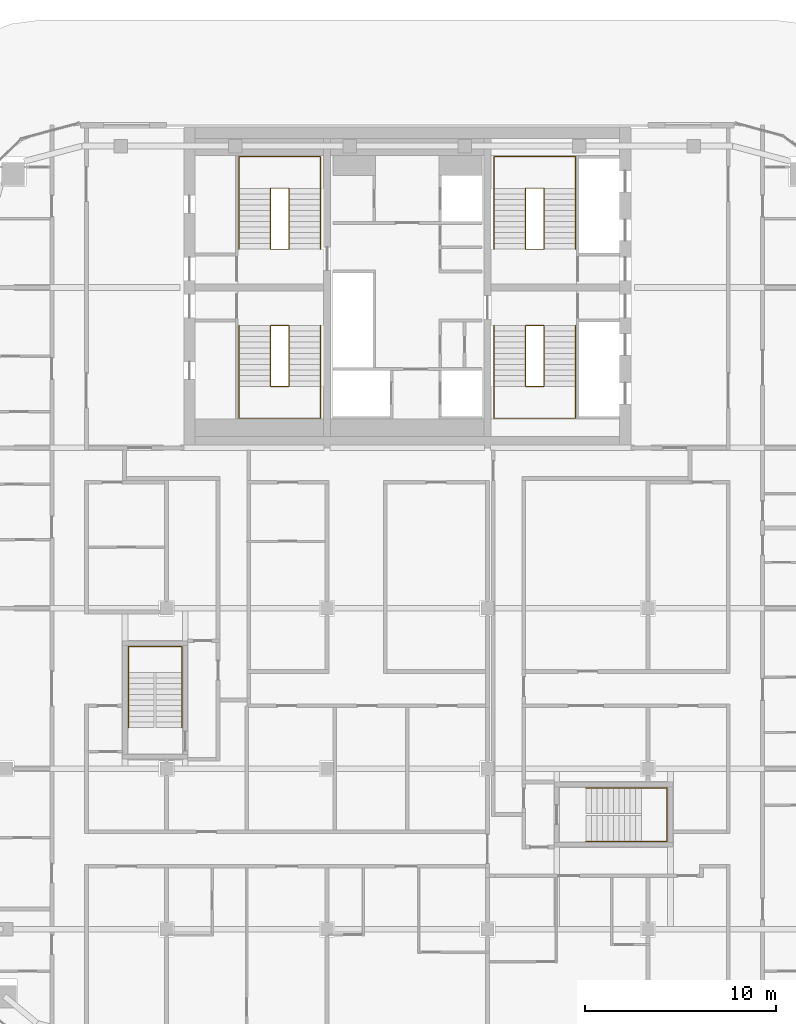
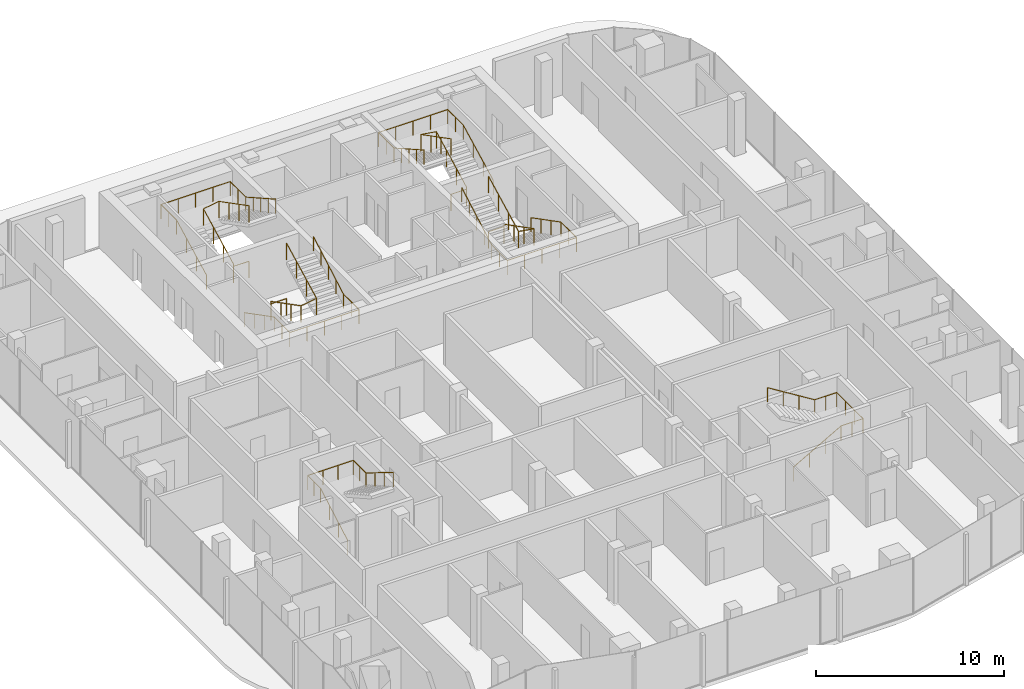
# One storey, part 21 of 21: 10 railings.
"""IFC4 building model written with IfcOpenShell, lengths in metres."""

from ifc_helpers import new_model, si_unit, direction, frame, origin, origin_2d, place, context, subcontext, project, spatial, circle, extrude, material, type_object, element, save


model = new_model("IFC4")

# Units and contexts
model_context = context("Model", 3, precision=1e-05, world=origin(), true_north=direction((0.0, 1.0)))
body_context = subcontext(model_context, "Body", "Model", "MODEL_VIEW")
ifc_project = project(units=[si_unit("LENGTHUNIT", "METRE"), si_unit("AREAUNIT", "SQUARE_METRE"), si_unit("VOLUMEUNIT", "CUBIC_METRE"), si_unit("PLANEANGLEUNIT", "RADIAN"), si_unit("MASSUNIT", "GRAM", prefix="KILO")], contexts=[model_context])

# Site, building, storey
site_placement = place(None, origin())
site = spatial("IfcSite", under=ifc_project, at=site_placement, CompositionType="ELEMENT")
building_placement = place(site_placement, origin())
building = spatial("IfcBuilding", under=site, at=building_placement, Name="Marenta Gate Hotel Tower", CompositionType="ELEMENT")
storey_placement = place(building_placement, frame((0.0, 0.0, 266.89990234375)))
storey = spatial("IfcBuildingStorey", under=building, at=storey_placement, Name="L61", CompositionType="ELEMENT", Elevation=266.89990234375)

# Railings
ifc_material_1 = material(Name="Stainless steel", Category="steel")
railing_type_1 = type_object("IfcRailingType", Name="Core stair handrail 950", PredefinedType="HANDRAIL", material=ifc_material_1)
railing_1_placement = place(storey_placement, frame((-8.800048828125, 6.39990234375, 0.150146484375)))
element("IfcRailing", 1, at=railing_1_placement, inside=storey, type_object=railing_type_1, Name="HR-950 L61-KR-ST1-1", PredefinedType="HANDRAIL", context=body_context, shape_type="SweptSolid", body=[
    extrude(circle(Radius=0.02392578125, at=origin_2d()), frame((0.0, 0.0, 0.92578125), z_axis=(0.0, -0.888225295554, 0.459408123936), x_axis=(1.0, 0.0, 0.0)), (0.0, 0.0, 1.0), 3.59130859375),
    extrude(circle(Radius=0.02392578125, at=origin_2d()), frame((0.0, -3.18994140625, 2.57568359375), z_axis=(0.0, -1.0, 0.0), x_axis=(1.0, 0.0, 0.0)), (0.0, 0.0, 1.0), 1.659912109375),
    extrude(circle(Radius=0.02392578125, at=origin_2d()), frame((0.0, -4.849853515625, 2.57568359375), z_axis=(1.0, 0.0, 0.0), x_axis=(0.0, 1.0, 0.0)), (0.0, 0.0, 1.0), 4.25),
    extrude(circle(Radius=0.02392578125, at=origin_2d()), frame((4.25, -4.849853515625, 2.57568359375), z_axis=(0.0, 1.0, 0.0), x_axis=(-1.0, 0.0, 0.0)), (0.0, 0.0, 1.0), 1.659912109375),
    extrude(circle(Radius=0.02392578125, at=origin_2d()), frame((4.25, -3.18994140625, 2.57568359375), z_axis=(0.0, 0.87090897868, 0.491444351738), x_axis=(-1.0, 0.0, 0.0)), (0.0, 0.0, 1.0), 3.662841796875),
    extrude(circle(Radius=0.02099609375, at=origin_2d()), origin(), (0.0, 0.0, 1.0), 0.90185546875),
    extrude(circle(Radius=0.02099609375, at=origin_2d()), frame((0.0, -1.063232421875, 0.550048828125)), (0.0, 0.0, 1.0), 0.90185546875),
    extrude(circle(Radius=0.02099609375, at=origin_2d()), frame((0.0, -2.126708984375, 1.099853515625)), (0.0, 0.0, 1.0), 0.90185546875),
    extrude(circle(Radius=0.02099609375, at=origin_2d()), frame((0.0, -3.18994140625, 1.64990234375)), (0.0, 0.0, 1.0), 0.90185546875),
    extrude(circle(Radius=0.02099609375, at=origin_2d()), frame((0.0, -4.02001953125, 1.64990234375)), (0.0, 0.0, 1.0), 0.90185546875),
    extrude(circle(Radius=0.02099609375, at=origin_2d()), frame((0.0, -4.849853515625, 1.64990234375)), (0.0, 0.0, 1.0), 0.90185546875),
    extrude(circle(Radius=0.02099609375, at=origin_2d()), frame((1.0625, -4.849853515625, 1.64990234375)), (0.0, 0.0, 1.0), 0.90185546875),
    extrude(circle(Radius=0.02099609375, at=origin_2d()), frame((2.125, -4.849853515625, 1.64990234375)), (0.0, 0.0, 1.0), 0.90185546875),
    extrude(circle(Radius=0.02099609375, at=origin_2d()), frame((3.1875, -4.849853515625, 1.64990234375)), (0.0, 0.0, 1.0), 0.90185546875),
    extrude(circle(Radius=0.02099609375, at=origin_2d()), frame((4.25, -4.849853515625, 1.64990234375)), (0.0, 0.0, 1.0), 0.90185546875),
    extrude(circle(Radius=0.02099609375, at=origin_2d()), frame((4.25, -4.02001953125, 1.64990234375)), (0.0, 0.0, 1.0), 0.90185546875),
    extrude(circle(Radius=0.02099609375, at=origin_2d()), frame((4.25, -3.18994140625, 1.64990234375)), (0.0, 0.0, 1.0), 0.90185546875),
    extrude(circle(Radius=0.02099609375, at=origin_2d()), frame((4.25, -2.392578125, 2.099853515625)), (0.0, 0.0, 1.0), 0.90185546875),
    extrude(circle(Radius=0.02099609375, at=origin_2d()), frame((4.25, -1.594970703125, 2.5498046875)), (0.0, 0.0, 1.0), 0.90185546875),
    extrude(circle(Radius=0.02099609375, at=origin_2d()), frame((4.25, -0.79736328125, 3.0)), (0.0, 0.0, 1.0), 0.90185546875),
    extrude(circle(Radius=0.02099609375, at=origin_2d()), frame((4.25, 0.0, 3.449951171875)), (0.0, 0.0, 1.0), 0.90185546875),
])
railing_2_placement = place(storey_placement, frame((-8.800048828125, 10.39990234375, 0.150146484375)))
element("IfcRailing", 2, at=railing_2_placement, inside=storey, type_object=railing_type_1, Name="HR-950 L61-KR-ST2-1", PredefinedType="HANDRAIL", context=body_context, shape_type="SweptSolid", body=[
    extrude(circle(Radius=0.02392578125, at=origin_2d()), frame((0.0, 0.0, 0.92578125), z_axis=(0.0, 0.888239641807, 0.459380385653), x_axis=(-1.0, 0.0, 0.0)), (0.0, 0.0, 1.0), 3.591552734375),
    extrude(circle(Radius=0.02392578125, at=origin_2d()), frame((0.0, 3.190185546875, 2.57568359375), z_axis=(0.0, 1.0, 0.0), x_axis=(-1.0, 0.0, 0.0)), (0.0, 0.0, 1.0), 1.659912109375),
    extrude(circle(Radius=0.02392578125, at=origin_2d()), frame((0.0, 4.85009765625, 2.57568359375), z_axis=(1.0, 0.0, 0.0), x_axis=(0.0, 1.0, 0.0)), (0.0, 0.0, 1.0), 4.25),
    extrude(circle(Radius=0.02392578125, at=origin_2d()), frame((4.25, 4.85009765625, 2.57568359375), z_axis=(0.0, -1.0, 0.0), x_axis=(1.0, 0.0, 0.0)), (0.0, 0.0, 1.0), 1.659912109375),
    extrude(circle(Radius=0.02392578125, at=origin_2d()), frame((4.25, 3.190185546875, 2.57568359375), z_axis=(0.0, -0.870925075533, 0.491415824742), x_axis=(1.0, 0.0, 0.0)), (0.0, 0.0, 1.0), 3.6630859375),
    extrude(circle(Radius=0.02099609375, at=origin_2d()), origin(), (0.0, 0.0, 1.0), 0.90185546875),
    extrude(circle(Radius=0.02099609375, at=origin_2d()), frame((0.0, 1.0634765625, 0.550048828125)), (0.0, 0.0, 1.0), 0.90185546875),
    extrude(circle(Radius=0.02099609375, at=origin_2d()), frame((0.0, 2.126708984375, 1.099853515625)), (0.0, 0.0, 1.0), 0.90185546875),
    extrude(circle(Radius=0.02099609375, at=origin_2d()), frame((0.0, 3.190185546875, 1.64990234375)), (0.0, 0.0, 1.0), 0.90185546875),
    extrude(circle(Radius=0.02099609375, at=origin_2d()), frame((0.0, 4.02001953125, 1.64990234375)), (0.0, 0.0, 1.0), 0.90185546875),
    extrude(circle(Radius=0.02099609375, at=origin_2d()), frame((0.0, 4.85009765625, 1.64990234375)), (0.0, 0.0, 1.0), 0.90185546875),
    extrude(circle(Radius=0.02099609375, at=origin_2d()), frame((1.0625, 4.85009765625, 1.64990234375)), (0.0, 0.0, 1.0), 0.90185546875),
    extrude(circle(Radius=0.02099609375, at=origin_2d()), frame((2.125, 4.85009765625, 1.64990234375)), (0.0, 0.0, 1.0), 0.90185546875),
    extrude(circle(Radius=0.02099609375, at=origin_2d()), frame((3.1875, 4.85009765625, 1.64990234375)), (0.0, 0.0, 1.0), 0.90185546875),
    extrude(circle(Radius=0.02099609375, at=origin_2d()), frame((4.25, 4.85009765625, 1.64990234375)), (0.0, 0.0, 1.0), 0.90185546875),
    extrude(circle(Radius=0.02099609375, at=origin_2d()), frame((4.25, 4.02001953125, 1.64990234375)), (0.0, 0.0, 1.0), 0.90185546875),
    extrude(circle(Radius=0.02099609375, at=origin_2d()), frame((4.25, 3.190185546875, 1.64990234375)), (0.0, 0.0, 1.0), 0.90185546875),
    extrude(circle(Radius=0.02099609375, at=origin_2d()), frame((4.25, 2.392578125, 2.099853515625)), (0.0, 0.0, 1.0), 0.90185546875),
    extrude(circle(Radius=0.02099609375, at=origin_2d()), frame((4.25, 1.59521484375, 2.5498046875)), (0.0, 0.0, 1.0), 0.90185546875),
    extrude(circle(Radius=0.02099609375, at=origin_2d()), frame((4.25, 0.797607421875, 3.0)), (0.0, 0.0, 1.0), 0.90185546875),
    extrude(circle(Radius=0.02099609375, at=origin_2d()), frame((4.25, 0.0, 3.449951171875)), (0.0, 0.0, 1.0), 0.90185546875),
])
railing_3_placement = place(storey_placement, frame((8.800048828125, 6.39990234375, 0.150146484375)))
element("IfcRailing", 3, at=railing_3_placement, inside=storey, type_object=railing_type_1, Name="HR-950 L61-KR-ST3-1", PredefinedType="HANDRAIL", context=body_context, shape_type="SweptSolid", body=[
    extrude(circle(Radius=0.02392578125, at=origin_2d()), frame((0.0, 0.0, 0.92578125), z_axis=(0.0, -0.888225295554, 0.459408123936), x_axis=(1.0, 0.0, 0.0)), (0.0, 0.0, 1.0), 3.59130859375),
    extrude(circle(Radius=0.02392578125, at=origin_2d()), frame((0.0, -3.18994140625, 2.57568359375), z_axis=(0.0, -1.0, 0.0), x_axis=(1.0, 0.0, 0.0)), (0.0, 0.0, 1.0), 1.659912109375),
    extrude(circle(Radius=0.02392578125, at=origin_2d()), frame((0.0, -4.849853515625, 2.57568359375), z_axis=(-1.0, 0.0, 0.0), x_axis=(0.0, -1.0, 0.0)), (0.0, 0.0, 1.0), 4.25),
    extrude(circle(Radius=0.02392578125, at=origin_2d()), frame((-4.25, -4.849853515625, 2.57568359375), z_axis=(0.0, 1.0, 0.0), x_axis=(-1.0, 0.0, 0.0)), (0.0, 0.0, 1.0), 1.659912109375),
    extrude(circle(Radius=0.02392578125, at=origin_2d()), frame((-4.25, -3.18994140625, 2.57568359375), z_axis=(0.0, 0.87090897868, 0.491444351738), x_axis=(-1.0, 0.0, 0.0)), (0.0, 0.0, 1.0), 3.662841796875),
    extrude(circle(Radius=0.02099609375, at=origin_2d()), origin(), (0.0, 0.0, 1.0), 0.90185546875),
    extrude(circle(Radius=0.02099609375, at=origin_2d()), frame((0.0, -1.063232421875, 0.550048828125)), (0.0, 0.0, 1.0), 0.90185546875),
    extrude(circle(Radius=0.02099609375, at=origin_2d()), frame((0.0, -2.126708984375, 1.099853515625)), (0.0, 0.0, 1.0), 0.90185546875),
    extrude(circle(Radius=0.02099609375, at=origin_2d()), frame((0.0, -3.18994140625, 1.64990234375)), (0.0, 0.0, 1.0), 0.90185546875),
    extrude(circle(Radius=0.02099609375, at=origin_2d()), frame((0.0, -4.02001953125, 1.64990234375)), (0.0, 0.0, 1.0), 0.90185546875),
    extrude(circle(Radius=0.02099609375, at=origin_2d()), frame((0.0, -4.849853515625, 1.64990234375)), (0.0, 0.0, 1.0), 0.90185546875),
    extrude(circle(Radius=0.02099609375, at=origin_2d()), frame((-1.0625, -4.849853515625, 1.64990234375)), (0.0, 0.0, 1.0), 0.90185546875),
    extrude(circle(Radius=0.02099609375, at=origin_2d()), frame((-2.125, -4.849853515625, 1.64990234375)), (0.0, 0.0, 1.0), 0.90185546875),
    extrude(circle(Radius=0.02099609375, at=origin_2d()), frame((-3.1875, -4.849853515625, 1.64990234375)), (0.0, 0.0, 1.0), 0.90185546875),
    extrude(circle(Radius=0.02099609375, at=origin_2d()), frame((-4.25, -4.849853515625, 1.64990234375)), (0.0, 0.0, 1.0), 0.90185546875),
    extrude(circle(Radius=0.02099609375, at=origin_2d()), frame((-4.25, -4.02001953125, 1.64990234375)), (0.0, 0.0, 1.0), 0.90185546875),
    extrude(circle(Radius=0.02099609375, at=origin_2d()), frame((-4.25, -3.18994140625, 1.64990234375)), (0.0, 0.0, 1.0), 0.90185546875),
    extrude(circle(Radius=0.02099609375, at=origin_2d()), frame((-4.25, -2.392578125, 2.099853515625)), (0.0, 0.0, 1.0), 0.90185546875),
    extrude(circle(Radius=0.02099609375, at=origin_2d()), frame((-4.25, -1.594970703125, 2.5498046875)), (0.0, 0.0, 1.0), 0.90185546875),
    extrude(circle(Radius=0.02099609375, at=origin_2d()), frame((-4.25, -0.79736328125, 3.0)), (0.0, 0.0, 1.0), 0.90185546875),
    extrude(circle(Radius=0.02099609375, at=origin_2d()), frame((-4.25, 0.0, 3.449951171875)), (0.0, 0.0, 1.0), 0.90185546875),
])
railing_4_placement = place(storey_placement, frame((8.800048828125, 10.39990234375, 0.150146484375)))
element("IfcRailing", 4, at=railing_4_placement, inside=storey, type_object=railing_type_1, Name="HR-950 L61-KR-ST4-1", PredefinedType="HANDRAIL", context=body_context, shape_type="SweptSolid", body=[
    extrude(circle(Radius=0.02392578125, at=origin_2d()), frame((0.0, 0.0, 0.92578125), z_axis=(0.0, 0.888239641807, 0.459380385653), x_axis=(-1.0, 0.0, 0.0)), (0.0, 0.0, 1.0), 3.591552734375),
    extrude(circle(Radius=0.02392578125, at=origin_2d()), frame((0.0, 3.190185546875, 2.57568359375), z_axis=(0.0, 1.0, 0.0), x_axis=(-1.0, 0.0, 0.0)), (0.0, 0.0, 1.0), 1.659912109375),
    extrude(circle(Radius=0.02392578125, at=origin_2d()), frame((0.0, 4.85009765625, 2.57568359375), z_axis=(-1.0, 0.0, 0.0), x_axis=(0.0, -1.0, 0.0)), (0.0, 0.0, 1.0), 4.25),
    extrude(circle(Radius=0.02392578125, at=origin_2d()), frame((-4.25, 4.85009765625, 2.57568359375), z_axis=(0.0, -1.0, 0.0), x_axis=(1.0, 0.0, 0.0)), (0.0, 0.0, 1.0), 1.659912109375),
    extrude(circle(Radius=0.02392578125, at=origin_2d()), frame((-4.25, 3.190185546875, 2.57568359375), z_axis=(0.0, -0.870925075533, 0.491415824742), x_axis=(1.0, 0.0, 0.0)), (0.0, 0.0, 1.0), 3.6630859375),
    extrude(circle(Radius=0.02099609375, at=origin_2d()), origin(), (0.0, 0.0, 1.0), 0.90185546875),
    extrude(circle(Radius=0.02099609375, at=origin_2d()), frame((0.0, 1.0634765625, 0.550048828125)), (0.0, 0.0, 1.0), 0.90185546875),
    extrude(circle(Radius=0.02099609375, at=origin_2d()), frame((0.0, 2.126708984375, 1.099853515625)), (0.0, 0.0, 1.0), 0.90185546875),
    extrude(circle(Radius=0.02099609375, at=origin_2d()), frame((0.0, 3.190185546875, 1.64990234375)), (0.0, 0.0, 1.0), 0.90185546875),
    extrude(circle(Radius=0.02099609375, at=origin_2d()), frame((0.0, 4.02001953125, 1.64990234375)), (0.0, 0.0, 1.0), 0.90185546875),
    extrude(circle(Radius=0.02099609375, at=origin_2d()), frame((0.0, 4.85009765625, 1.64990234375)), (0.0, 0.0, 1.0), 0.90185546875),
    extrude(circle(Radius=0.02099609375, at=origin_2d()), frame((-1.0625, 4.85009765625, 1.64990234375)), (0.0, 0.0, 1.0), 0.90185546875),
    extrude(circle(Radius=0.02099609375, at=origin_2d()), frame((-2.125, 4.85009765625, 1.64990234375)), (0.0, 0.0, 1.0), 0.90185546875),
    extrude(circle(Radius=0.02099609375, at=origin_2d()), frame((-3.1875, 4.85009765625, 1.64990234375)), (0.0, 0.0, 1.0), 0.90185546875),
    extrude(circle(Radius=0.02099609375, at=origin_2d()), frame((-4.25, 4.85009765625, 1.64990234375)), (0.0, 0.0, 1.0), 0.90185546875),
    extrude(circle(Radius=0.02099609375, at=origin_2d()), frame((-4.25, 4.02001953125, 1.64990234375)), (0.0, 0.0, 1.0), 0.90185546875),
    extrude(circle(Radius=0.02099609375, at=origin_2d()), frame((-4.25, 3.190185546875, 1.64990234375)), (0.0, 0.0, 1.0), 0.90185546875),
    extrude(circle(Radius=0.02099609375, at=origin_2d()), frame((-4.25, 2.392578125, 2.099853515625)), (0.0, 0.0, 1.0), 0.90185546875),
    extrude(circle(Radius=0.02099609375, at=origin_2d()), frame((-4.25, 1.59521484375, 2.5498046875)), (0.0, 0.0, 1.0), 0.90185546875),
    extrude(circle(Radius=0.02099609375, at=origin_2d()), frame((-4.25, 0.797607421875, 3.0)), (0.0, 0.0, 1.0), 0.90185546875),
    extrude(circle(Radius=0.02099609375, at=origin_2d()), frame((-4.25, 0.0, 3.449951171875)), (0.0, 0.0, 1.0), 0.90185546875),
])
railing_5_placement = place(storey_placement, frame((9.35009765625, -20.60009765625, 0.163818359375)))
element("IfcRailing", 5, at=railing_5_placement, inside=storey, type_object=railing_type_1, Name="HR-950 L61-RS-Z4-1-KR-1", PredefinedType="HANDRAIL", context=body_context, shape_type="SweptSolid", body=[
    extrude(circle(Radius=0.02392578125, at=origin_2d()), frame((0.0, 0.0, 0.92578125), z_axis=(0.870928581787, 0.0, 0.491409610636), x_axis=(0.0, 1.0, 0.0)), (0.0, 0.0, 1.0), 3.32958984375),
    extrude(circle(Radius=0.02392578125, at=origin_2d()), frame((2.89990234375, 0.0, 2.56201171875), z_axis=(1.0, 0.0, 0.0), x_axis=(0.0, 1.0, 0.0)), (0.0, 0.0, 1.0), 1.35009765625),
    extrude(circle(Radius=0.02392578125, at=origin_2d()), frame((4.25, 0.0, 2.56201171875), z_axis=(0.0, 1.0, 0.0), x_axis=(-1.0, 0.0, 0.0)), (0.0, 0.0, 1.0), 2.800048828125),
    extrude(circle(Radius=0.02392578125, at=origin_2d()), frame((4.25, 2.800048828125, 2.56201171875), z_axis=(-1.0, 0.0, 0.0), x_axis=(0.0, -1.0, 0.0)), (0.0, 0.0, 1.0), 1.35009765625),
    extrude(circle(Radius=0.02392578125, at=origin_2d()), frame((2.89990234375, 2.800048828125, 2.56201171875), z_axis=(-0.849625798611, 0.0, 0.527386008853), x_axis=(0.0, -1.0, 0.0)), (0.0, 0.0, 1.0), 3.4130859375),
    extrude(circle(Radius=0.02099609375, at=origin_2d()), origin(), (0.0, 0.0, 1.0), 0.90185546875),
    extrude(circle(Radius=0.02099609375, at=origin_2d()), frame((0.966552734375, 0.0, 0.54541015625)), (0.0, 0.0, 1.0), 0.90185546875),
    extrude(circle(Radius=0.02099609375, at=origin_2d()), frame((1.933349609375, 0.0, 1.0908203125)), (0.0, 0.0, 1.0), 0.90185546875),
    extrude(circle(Radius=0.02099609375, at=origin_2d()), frame((2.89990234375, 0.0, 1.63623046875)), (0.0, 0.0, 1.0), 0.90185546875),
    extrude(circle(Radius=0.02099609375, at=origin_2d()), frame((3.574951171875, 0.0, 1.63623046875)), (0.0, 0.0, 1.0), 0.90185546875),
    extrude(circle(Radius=0.02099609375, at=origin_2d()), frame((4.25, 0.0, 1.63623046875)), (0.0, 0.0, 1.0), 0.90185546875),
    extrude(circle(Radius=0.02099609375, at=origin_2d()), frame((4.25, 0.933349609375, 1.63623046875)), (0.0, 0.0, 1.0), 0.90185546875),
    extrude(circle(Radius=0.02099609375, at=origin_2d()), frame((4.25, 1.86669921875, 1.63623046875)), (0.0, 0.0, 1.0), 0.90185546875),
    extrude(circle(Radius=0.02099609375, at=origin_2d()), frame((4.25, 2.800048828125, 1.63623046875)), (0.0, 0.0, 1.0), 0.90185546875),
    extrude(circle(Radius=0.02099609375, at=origin_2d()), frame((3.574951171875, 2.800048828125, 1.63623046875)), (0.0, 0.0, 1.0), 0.90185546875),
    extrude(circle(Radius=0.02099609375, at=origin_2d()), frame((2.89990234375, 2.800048828125, 1.63623046875)), (0.0, 0.0, 1.0), 0.90185546875),
    extrude(circle(Radius=0.02099609375, at=origin_2d()), frame((1.933349609375, 2.800048828125, 2.236328125)), (0.0, 0.0, 1.0), 0.90185546875),
    extrude(circle(Radius=0.02099609375, at=origin_2d()), frame((0.966552734375, 2.800048828125, 2.836181640625)), (0.0, 0.0, 1.0), 0.90185546875),
    extrude(circle(Radius=0.02099609375, at=origin_2d()), frame((0.0, 2.800048828125, 3.436279296875)), (0.0, 0.0, 1.0), 0.90185546875),
])
railing_6_placement = place(storey_placement, frame((-14.60009765625, -14.64990234375, 0.163818359375)))
element("IfcRailing", 6, at=railing_6_placement, inside=storey, type_object=railing_type_1, Name="HR-950 L61-RS-Z4-2-KR-1", PredefinedType="HANDRAIL", context=body_context, shape_type="SweptSolid", body=[
    extrude(circle(Radius=0.02392578125, at=origin_2d()), frame((0.0, 0.0, 0.92578125), z_axis=(0.0, 0.870928581787, 0.491409610636), x_axis=(-1.0, 0.0, 0.0)), (0.0, 0.0, 1.0), 3.32958984375),
    extrude(circle(Radius=0.02392578125, at=origin_2d()), frame((0.0, 2.89990234375, 2.56201171875), z_axis=(0.0, 1.0, 0.0), x_axis=(-1.0, 0.0, 0.0)), (0.0, 0.0, 1.0), 1.35009765625),
    extrude(circle(Radius=0.02392578125, at=origin_2d()), frame((0.0, 4.25, 2.56201171875), z_axis=(1.0, 0.0, 0.0), x_axis=(0.0, 1.0, 0.0)), (0.0, 0.0, 1.0), 2.800048828125),
    extrude(circle(Radius=0.02392578125, at=origin_2d()), frame((2.800048828125, 4.25, 2.56201171875), z_axis=(0.0, -1.0, 0.0), x_axis=(1.0, 0.0, 0.0)), (0.0, 0.0, 1.0), 1.35009765625),
    extrude(circle(Radius=0.02392578125, at=origin_2d()), frame((2.800048828125, 2.89990234375, 2.56201171875), z_axis=(0.0, -0.849625798611, 0.527386008853), x_axis=(1.0, 0.0, 0.0)), (0.0, 0.0, 1.0), 3.4130859375),
    extrude(circle(Radius=0.02099609375, at=origin_2d()), origin(), (0.0, 0.0, 1.0), 0.90185546875),
    extrude(circle(Radius=0.02099609375, at=origin_2d()), frame((0.0, 0.966552734375, 0.54541015625)), (0.0, 0.0, 1.0), 0.90185546875),
    extrude(circle(Radius=0.02099609375, at=origin_2d()), frame((0.0, 1.933349609375, 1.0908203125)), (0.0, 0.0, 1.0), 0.90185546875),
    extrude(circle(Radius=0.02099609375, at=origin_2d()), frame((0.0, 2.89990234375, 1.63623046875)), (0.0, 0.0, 1.0), 0.90185546875),
    extrude(circle(Radius=0.02099609375, at=origin_2d()), frame((0.0, 3.574951171875, 1.63623046875)), (0.0, 0.0, 1.0), 0.90185546875),
    extrude(circle(Radius=0.02099609375, at=origin_2d()), frame((0.0, 4.25, 1.63623046875)), (0.0, 0.0, 1.0), 0.90185546875),
    extrude(circle(Radius=0.02099609375, at=origin_2d()), frame((0.933349609375, 4.25, 1.63623046875)), (0.0, 0.0, 1.0), 0.90185546875),
    extrude(circle(Radius=0.02099609375, at=origin_2d()), frame((1.86669921875, 4.25, 1.63623046875)), (0.0, 0.0, 1.0), 0.90185546875),
    extrude(circle(Radius=0.02099609375, at=origin_2d()), frame((2.800048828125, 4.25, 1.63623046875)), (0.0, 0.0, 1.0), 0.90185546875),
    extrude(circle(Radius=0.02099609375, at=origin_2d()), frame((2.800048828125, 3.574951171875, 1.63623046875)), (0.0, 0.0, 1.0), 0.90185546875),
    extrude(circle(Radius=0.02099609375, at=origin_2d()), frame((2.800048828125, 2.89990234375, 1.63623046875)), (0.0, 0.0, 1.0), 0.90185546875),
    extrude(circle(Radius=0.02099609375, at=origin_2d()), frame((2.800048828125, 1.933349609375, 2.236328125)), (0.0, 0.0, 1.0), 0.90185546875),
    extrude(circle(Radius=0.02099609375, at=origin_2d()), frame((2.800048828125, 0.966552734375, 2.836181640625)), (0.0, 0.0, 1.0), 0.90185546875),
    extrude(circle(Radius=0.02099609375, at=origin_2d()), frame((2.800048828125, 0.0, 3.436279296875)), (0.0, 0.0, 1.0), 0.90185546875),
])
ifc_material_2 = material(Name="Stainless steel", Category="steel")
railing_type_2 = type_object("IfcRailingType", Name="Core stair well guard 1100", PredefinedType="GUARDRAIL", material=ifc_material_2)
railing_7_placement = place(storey_placement, frame((-6.199951171875, 6.39990234375, 0.0)))
element("IfcRailing", 7, at=railing_7_placement, inside=storey, type_object=railing_type_2, Name="GR-1100 L61-KR-ST1-2", PredefinedType="GUARDRAIL", context=body_context, shape_type="SweptSolid", body=[
    extrude(circle(Radius=0.02392578125, at=origin_2d()), frame((0.0, 0.0, 1.076171875), z_axis=(-1.0, 0.0, 0.0), x_axis=(0.0, -1.0, 0.0)), (0.0, 0.0, 1.0), 0.949951171875),
    extrude(circle(Radius=0.02392578125, at=origin_2d()), frame((-0.949951171875, 0.0, 1.076171875), z_axis=(0.0, 0.0, 1.0), x_axis=(1.0, 0.0, 0.0)), (0.0, 0.0, 1.0), 0.150146484375),
    extrude(circle(Radius=0.02392578125, at=origin_2d()), frame((-0.949951171875, 0.0, 1.22607421875), z_axis=(0.0, -0.888225295554, 0.459408123936), x_axis=(1.0, 0.0, 0.0)), (0.0, 0.0, 1.0), 3.59130859375),
    extrude(circle(Radius=0.02392578125, at=origin_2d()), frame((-0.949951171875, -3.18994140625, 2.8759765625), z_axis=(0.987738253826, 0.0, 0.156118999255), x_axis=(0.0, 1.0, 0.0)), (0.0, 0.0, 1.0), 0.961669921875),
    extrude(circle(Radius=0.02392578125, at=origin_2d()), frame((0.0, -3.18994140625, 3.0263671875), z_axis=(0.0, 0.888225295554, 0.459408123936), x_axis=(-1.0, 0.0, 0.0)), (0.0, 0.0, 1.0), 3.59130859375),
    extrude(circle(Radius=0.02099609375, at=origin_2d()), origin(), (0.0, 0.0, 1.0), 1.052001953125),
    extrude(circle(Radius=0.02099609375, at=origin_2d()), frame((-0.949951171875, 0.0, 0.0)), (0.0, 0.0, 1.0), 1.052001953125),
    extrude(circle(Radius=0.02099609375, at=origin_2d()), frame((-0.949951171875, 0.0, 0.150146484375)), (0.0, 0.0, 1.0), 1.052001953125),
    extrude(circle(Radius=0.02099609375, at=origin_2d()), frame((-0.949951171875, -1.063232421875, 0.7001953125)), (0.0, 0.0, 1.0), 1.052001953125),
    extrude(circle(Radius=0.02099609375, at=origin_2d()), frame((-0.949951171875, -2.126708984375, 1.25)), (0.0, 0.0, 1.0), 1.052001953125),
    extrude(circle(Radius=0.02099609375, at=origin_2d()), frame((-0.949951171875, -3.18994140625, 1.800048828125)), (0.0, 0.0, 1.0), 1.052001953125),
    extrude(circle(Radius=0.02099609375, at=origin_2d()), frame((0.0, -3.18994140625, 1.9501953125)), (0.0, 0.0, 1.0), 1.052001953125),
    extrude(circle(Radius=0.02099609375, at=origin_2d()), frame((0.0, -2.126708984375, 2.500244140625)), (0.0, 0.0, 1.0), 1.052001953125),
    extrude(circle(Radius=0.02099609375, at=origin_2d()), frame((0.0, -1.063232421875, 3.050048828125)), (0.0, 0.0, 1.0), 1.052001953125),
    extrude(circle(Radius=0.02099609375, at=origin_2d()), frame((0.0, 0.0, 3.60009765625)), (0.0, 0.0, 1.0), 1.052001953125),
])
railing_8_placement = place(storey_placement, frame((-6.199951171875, 10.39990234375, 0.0)))
element("IfcRailing", 8, at=railing_8_placement, inside=storey, type_object=railing_type_2, Name="GR-1100 L61-KR-ST2-2", PredefinedType="GUARDRAIL", context=body_context, shape_type="SweptSolid", body=[
    extrude(circle(Radius=0.02392578125, at=origin_2d()), frame((0.0, 0.0, 1.076171875), z_axis=(-1.0, 0.0, 0.0), x_axis=(0.0, -1.0, 0.0)), (0.0, 0.0, 1.0), 0.949951171875),
    extrude(circle(Radius=0.02392578125, at=origin_2d()), frame((-0.949951171875, 0.0, 1.076171875), z_axis=(0.0, 0.0, 1.0), x_axis=(1.0, 0.0, 0.0)), (0.0, 0.0, 1.0), 0.150146484375),
    extrude(circle(Radius=0.02392578125, at=origin_2d()), frame((-0.949951171875, 0.0, 1.22607421875), z_axis=(0.0, 0.888239641807, 0.459380385653), x_axis=(-1.0, 0.0, 0.0)), (0.0, 0.0, 1.0), 3.591552734375),
    extrude(circle(Radius=0.02392578125, at=origin_2d()), frame((-0.949951171875, 3.190185546875, 2.8759765625), z_axis=(0.987738253826, 0.0, 0.156118999255), x_axis=(0.0, 1.0, 0.0)), (0.0, 0.0, 1.0), 0.961669921875),
    extrude(circle(Radius=0.02392578125, at=origin_2d()), frame((0.0, 3.190185546875, 3.0263671875), z_axis=(0.0, -0.888239641807, 0.459380385653), x_axis=(1.0, 0.0, 0.0)), (0.0, 0.0, 1.0), 3.591552734375),
    extrude(circle(Radius=0.02099609375, at=origin_2d()), origin(), (0.0, 0.0, 1.0), 1.052001953125),
    extrude(circle(Radius=0.02099609375, at=origin_2d()), frame((-0.949951171875, 0.0, 0.0)), (0.0, 0.0, 1.0), 1.052001953125),
    extrude(circle(Radius=0.02099609375, at=origin_2d()), frame((-0.949951171875, 0.0, 0.150146484375)), (0.0, 0.0, 1.0), 1.052001953125),
    extrude(circle(Radius=0.02099609375, at=origin_2d()), frame((-0.949951171875, 1.0634765625, 0.7001953125)), (0.0, 0.0, 1.0), 1.052001953125),
    extrude(circle(Radius=0.02099609375, at=origin_2d()), frame((-0.949951171875, 2.126708984375, 1.25)), (0.0, 0.0, 1.0), 1.052001953125),
    extrude(circle(Radius=0.02099609375, at=origin_2d()), frame((-0.949951171875, 3.190185546875, 1.800048828125)), (0.0, 0.0, 1.0), 1.052001953125),
    extrude(circle(Radius=0.02099609375, at=origin_2d()), frame((0.0, 3.190185546875, 1.9501953125)), (0.0, 0.0, 1.0), 1.052001953125),
    extrude(circle(Radius=0.02099609375, at=origin_2d()), frame((0.0, 2.126708984375, 2.500244140625)), (0.0, 0.0, 1.0), 1.052001953125),
    extrude(circle(Radius=0.02099609375, at=origin_2d()), frame((0.0, 1.0634765625, 3.050048828125)), (0.0, 0.0, 1.0), 1.052001953125),
    extrude(circle(Radius=0.02099609375, at=origin_2d()), frame((0.0, 0.0, 3.60009765625)), (0.0, 0.0, 1.0), 1.052001953125),
])
railing_9_placement = place(storey_placement, frame((6.199951171875, 6.39990234375, 0.0)))
element("IfcRailing", 9, at=railing_9_placement, inside=storey, type_object=railing_type_2, Name="GR-1100 L61-KR-ST3-2", PredefinedType="GUARDRAIL", context=body_context, shape_type="SweptSolid", body=[
    extrude(circle(Radius=0.02392578125, at=origin_2d()), frame((0.0, 0.0, 1.076171875), z_axis=(1.0, 0.0, 0.0), x_axis=(0.0, 1.0, 0.0)), (0.0, 0.0, 1.0), 0.949951171875),
    extrude(circle(Radius=0.02392578125, at=origin_2d()), frame((0.949951171875, 0.0, 1.076171875), z_axis=(0.0, 0.0, 1.0), x_axis=(1.0, 0.0, 0.0)), (0.0, 0.0, 1.0), 0.150146484375),
    extrude(circle(Radius=0.02392578125, at=origin_2d()), frame((0.949951171875, 0.0, 1.22607421875), z_axis=(0.0, -0.888225295554, 0.459408123936), x_axis=(1.0, 0.0, 0.0)), (0.0, 0.0, 1.0), 3.59130859375),
    extrude(circle(Radius=0.02392578125, at=origin_2d()), frame((0.949951171875, -3.18994140625, 2.8759765625), z_axis=(-0.987738253826, 0.0, 0.156118999255), x_axis=(0.0, -1.0, 0.0)), (0.0, 0.0, 1.0), 0.961669921875),
    extrude(circle(Radius=0.02392578125, at=origin_2d()), frame((0.0, -3.18994140625, 3.0263671875), z_axis=(0.0, 0.888225295554, 0.459408123936), x_axis=(-1.0, 0.0, 0.0)), (0.0, 0.0, 1.0), 3.59130859375),
    extrude(circle(Radius=0.02099609375, at=origin_2d()), origin(), (0.0, 0.0, 1.0), 1.052001953125),
    extrude(circle(Radius=0.02099609375, at=origin_2d()), frame((0.949951171875, 0.0, 0.0)), (0.0, 0.0, 1.0), 1.052001953125),
    extrude(circle(Radius=0.02099609375, at=origin_2d()), frame((0.949951171875, 0.0, 0.150146484375)), (0.0, 0.0, 1.0), 1.052001953125),
    extrude(circle(Radius=0.02099609375, at=origin_2d()), frame((0.949951171875, -1.063232421875, 0.7001953125)), (0.0, 0.0, 1.0), 1.052001953125),
    extrude(circle(Radius=0.02099609375, at=origin_2d()), frame((0.949951171875, -2.126708984375, 1.25)), (0.0, 0.0, 1.0), 1.052001953125),
    extrude(circle(Radius=0.02099609375, at=origin_2d()), frame((0.949951171875, -3.18994140625, 1.800048828125)), (0.0, 0.0, 1.0), 1.052001953125),
    extrude(circle(Radius=0.02099609375, at=origin_2d()), frame((0.0, -3.18994140625, 1.9501953125)), (0.0, 0.0, 1.0), 1.052001953125),
    extrude(circle(Radius=0.02099609375, at=origin_2d()), frame((0.0, -2.126708984375, 2.500244140625)), (0.0, 0.0, 1.0), 1.052001953125),
    extrude(circle(Radius=0.02099609375, at=origin_2d()), frame((0.0, -1.063232421875, 3.050048828125)), (0.0, 0.0, 1.0), 1.052001953125),
    extrude(circle(Radius=0.02099609375, at=origin_2d()), frame((0.0, 0.0, 3.60009765625)), (0.0, 0.0, 1.0), 1.052001953125),
])
railing_10_placement = place(storey_placement, frame((6.199951171875, 10.39990234375, 0.0)))
element("IfcRailing", 10, at=railing_10_placement, inside=storey, type_object=railing_type_2, Name="GR-1100 L61-KR-ST4-2", PredefinedType="GUARDRAIL", context=body_context, shape_type="SweptSolid", body=[
    extrude(circle(Radius=0.02392578125, at=origin_2d()), frame((0.0, 0.0, 1.076171875), z_axis=(1.0, 0.0, 0.0), x_axis=(0.0, 1.0, 0.0)), (0.0, 0.0, 1.0), 0.949951171875),
    extrude(circle(Radius=0.02392578125, at=origin_2d()), frame((0.949951171875, 0.0, 1.076171875), z_axis=(0.0, 0.0, 1.0), x_axis=(1.0, 0.0, 0.0)), (0.0, 0.0, 1.0), 0.150146484375),
    extrude(circle(Radius=0.02392578125, at=origin_2d()), frame((0.949951171875, 0.0, 1.22607421875), z_axis=(0.0, 0.888239641807, 0.459380385653), x_axis=(-1.0, 0.0, 0.0)), (0.0, 0.0, 1.0), 3.591552734375),
    extrude(circle(Radius=0.02392578125, at=origin_2d()), frame((0.949951171875, 3.190185546875, 2.8759765625), z_axis=(-0.987738253826, 0.0, 0.156118999255), x_axis=(0.0, -1.0, 0.0)), (0.0, 0.0, 1.0), 0.961669921875),
    extrude(circle(Radius=0.02392578125, at=origin_2d()), frame((0.0, 3.190185546875, 3.0263671875), z_axis=(0.0, -0.888239641807, 0.459380385653), x_axis=(1.0, 0.0, 0.0)), (0.0, 0.0, 1.0), 3.591552734375),
    extrude(circle(Radius=0.02099609375, at=origin_2d()), origin(), (0.0, 0.0, 1.0), 1.052001953125),
    extrude(circle(Radius=0.02099609375, at=origin_2d()), frame((0.949951171875, 0.0, 0.0)), (0.0, 0.0, 1.0), 1.052001953125),
    extrude(circle(Radius=0.02099609375, at=origin_2d()), frame((0.949951171875, 0.0, 0.150146484375)), (0.0, 0.0, 1.0), 1.052001953125),
    extrude(circle(Radius=0.02099609375, at=origin_2d()), frame((0.949951171875, 1.0634765625, 0.7001953125)), (0.0, 0.0, 1.0), 1.052001953125),
    extrude(circle(Radius=0.02099609375, at=origin_2d()), frame((0.949951171875, 2.126708984375, 1.25)), (0.0, 0.0, 1.0), 1.052001953125),
    extrude(circle(Radius=0.02099609375, at=origin_2d()), frame((0.949951171875, 3.190185546875, 1.800048828125)), (0.0, 0.0, 1.0), 1.052001953125),
    extrude(circle(Radius=0.02099609375, at=origin_2d()), frame((0.0, 3.190185546875, 1.9501953125)), (0.0, 0.0, 1.0), 1.052001953125),
    extrude(circle(Radius=0.02099609375, at=origin_2d()), frame((0.0, 2.126708984375, 2.500244140625)), (0.0, 0.0, 1.0), 1.052001953125),
    extrude(circle(Radius=0.02099609375, at=origin_2d()), frame((0.0, 1.0634765625, 3.050048828125)), (0.0, 0.0, 1.0), 1.052001953125),
    extrude(circle(Radius=0.02099609375, at=origin_2d()), frame((0.0, 0.0, 3.60009765625)), (0.0, 0.0, 1.0), 1.052001953125),
])

save(model, "model.ifc")
